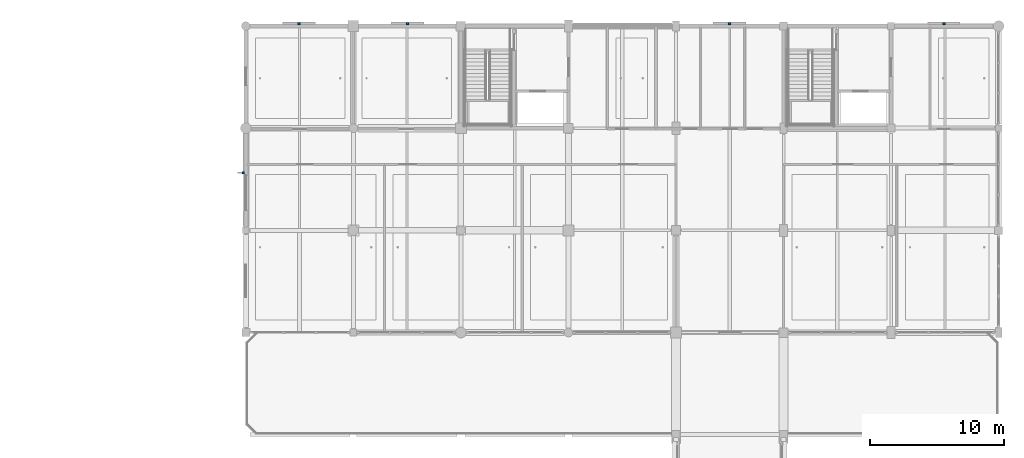
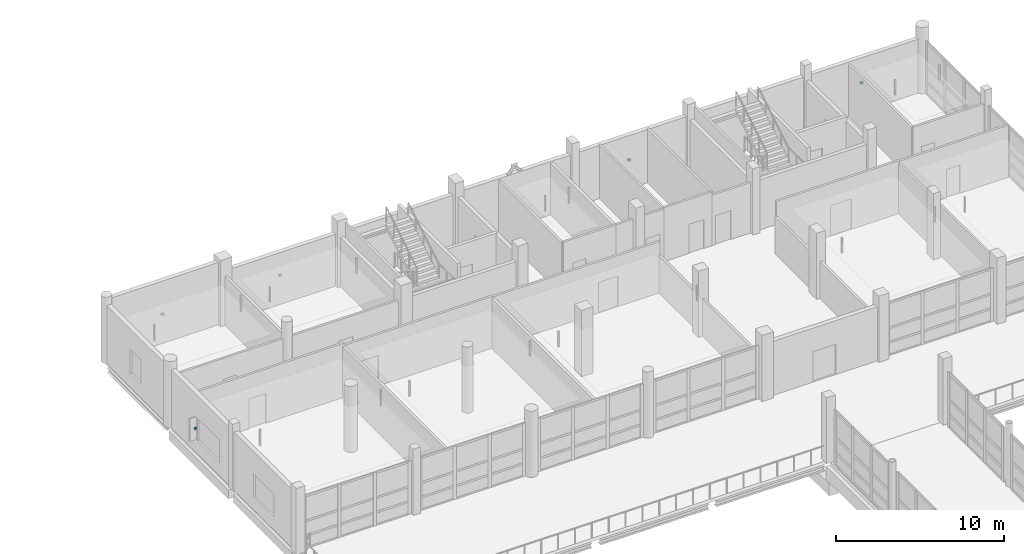
# One storey, part 126 of 141: 5 discrete accessories.
"""IFC4 building model written with IfcOpenShell, lengths in metres."""

from ifc_helpers import new_model, si_unit, direction, frame, origin, origin_2d, place, context, subcontext, project, spatial, rectangle, extrude, material, type_object, element, save


model = new_model("IFC4")

# Units and contexts
model_context = context("Model", 3, precision=1e-05, world=origin(), true_north=direction((0.0, 1.0)))
body_context = subcontext(model_context, "Body", "Model", "MODEL_VIEW")
ifc_project = project(units=[si_unit("LENGTHUNIT", "METRE"), si_unit("AREAUNIT", "SQUARE_METRE"), si_unit("VOLUMEUNIT", "CUBIC_METRE"), si_unit("PLANEANGLEUNIT", "RADIAN"), si_unit("MASSUNIT", "GRAM", prefix="KILO")], contexts=[model_context])

# Site, building, storey
site_placement = place(None, origin())
site = spatial("IfcSite", under=ifc_project, at=site_placement, CompositionType="ELEMENT")
building_placement = place(site_placement, origin())
building = spatial("IfcBuilding", under=site, at=building_placement, Name="Khelvaren Railside Concert Hall", CompositionType="ELEMENT")
storey_placement = place(building_placement, frame((0.0, 0.0, 10.199951171875)))
storey = spatial("IfcBuildingStorey", under=building, at=storey_placement, Name="L02", CompositionType="ELEMENT", Elevation=10.199951171875)

# Discrete accessories
ifc_material = material(Name="Architectural stainless steel Grade 316", Category="steel")
discrete_accessory_type = type_object("IfcDiscreteAccessoryType", Name="BRK87", PredefinedType="BRACKET", material=ifc_material)
discrete_accessory_placement = place(storey_placement, frame((127.81005859375, 103.080078125, 1.705078125), z_axis=(0.0, 0.0, 1.0), x_axis=(0.0, 1.0, 0.0)))
element("IfcDiscreteAccessory", 1, at=discrete_accessory_placement, inside=storey, type_object=discrete_accessory_type, Name="Solar Fin Bracket EW-V5-L02-W-99", PredefinedType="BRACKET", context=body_context, shape_type="SweptSolid", body=[
    extrude(rectangle(XDim=0.139892578125, YDim=0.159912109375, at=origin_2d()), origin(), (0.0, 0.0, 1.0), 0.139892578125),
])
for number, where, z_axis, x_axis, name in (
    (2, (131.96240234375, 114.179931640625, 1.7802734375), (0.0, 0.0, 1.0), (1.0, 0.0, 0.0), "Louvre Mounting Bracket EW-V5-L02-N-128"),
    (3, (140.02490234375, 114.179931640625, 1.7802734375), (0.0, 0.0, 1.0), (1.0, 0.0, 0.0), "Louvre Mounting Bracket EW-V5-L02-N-136"),
    (4, (163.97509765625, 114.179931640625, 1.7802734375), (0.0, 0.0, 1.0), (1.0, 0.0, 0.0), "Louvre Mounting Bracket EW-V5-L02-N-160"),
    (5, (179.925048828125, 114.179931640625, 1.7802734375), (0.0, 0.0, 1.0), (1.0, 0.0, 0.0), "Louvre Mounting Bracket EW-V5-L02-N-176"),
):
    element("IfcDiscreteAccessory", number, at=place(storey_placement, frame(where, z_axis=z_axis, x_axis=x_axis)), inside=storey, type_object=discrete_accessory_type, Name=name, PredefinedType="BRACKET", context=body_context, shape_type="SweptSolid", body=[
        extrude(rectangle(XDim=0.179931640625, YDim=0.139892578125, at=origin_2d()), origin(), (0.0, 0.0, 1.0), 0.139892578125),
    ])

save(model, "model.ifc")
